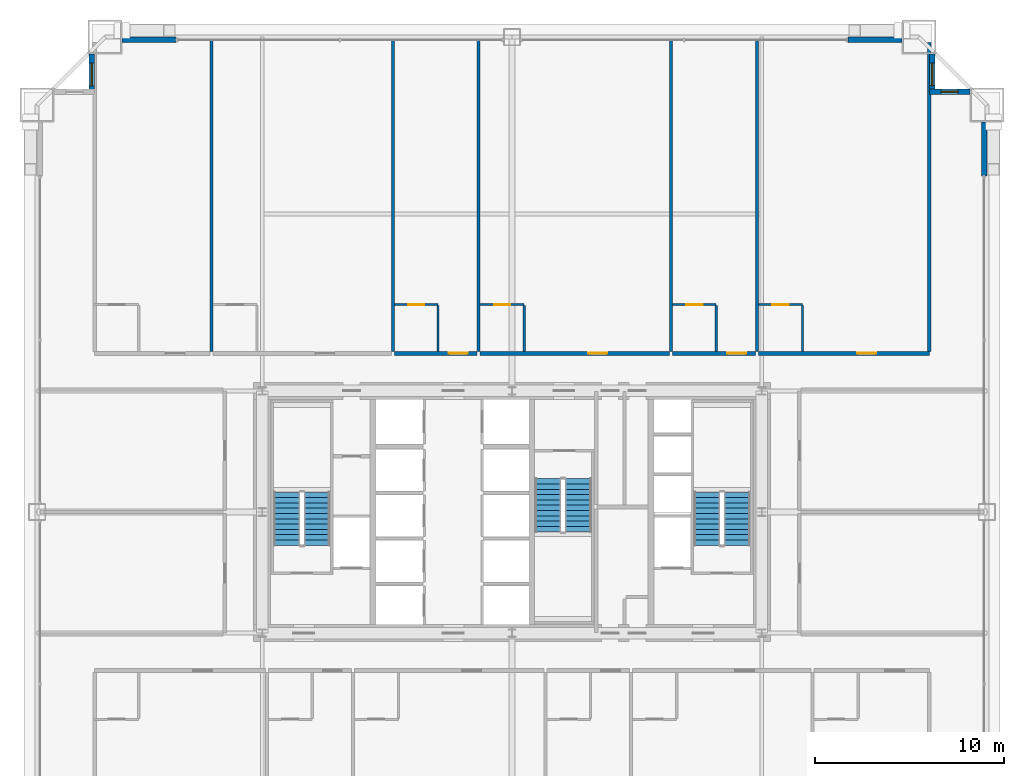
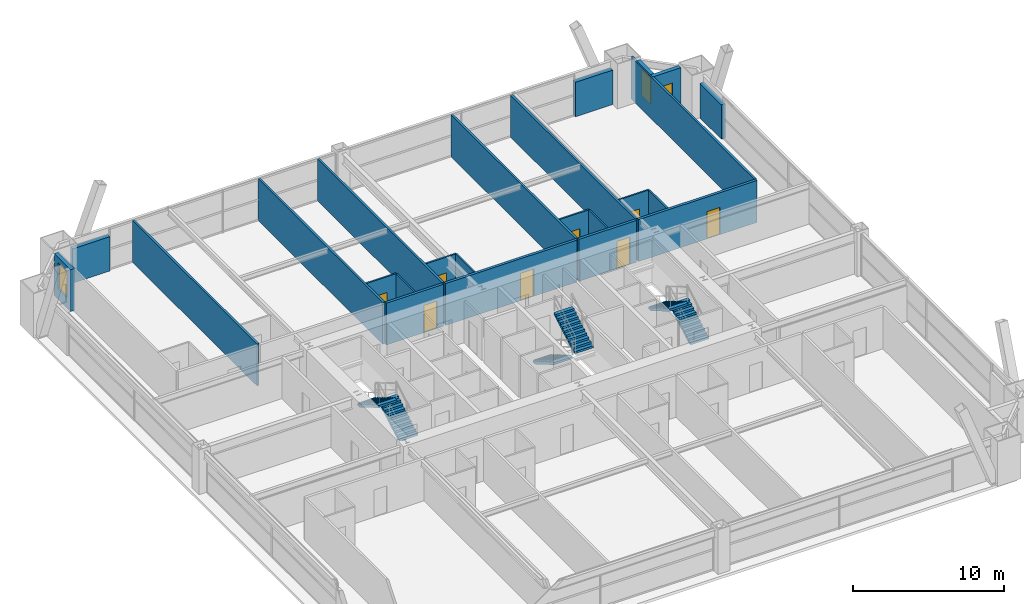
# One storey, part 42 of 43: 24 walls, 8 doors, 6 stair flights, 3 windows, 11 openings, 3 elements without a shape of their own.
"""IFC4 building model written with IfcOpenShell, lengths in metres."""

import ifcopenshell
import ifcopenshell.guid

model = None  # the IFC model being written
_history = None  # IfcOwnerHistory: only IFC2X3 demands one
_inside = {}  # id of a spatial element -> (the spatial element, [elements in it])
_under = {}  # id of a project, library or spatial element -> (it, [spatial elements below it])
_declared = {}  # id of a project -> (the project, [libraries it declares])
_typed = {}  # id of a type object -> (the type object, [elements of that type])
_made_of = {}  # id of a material, layer set ... -> (it, [elements and type objects made of it])


def new_model(schema):
    """Start an empty IFC model of exactly this schema.

    Asked for "IFC4X3", IfcOpenShell would pick the latest addendum, in which some entities
    have other attributes; the version numbers below select the first issue.
    IFC2X3 requires an IfcOwnerHistory on every rooted entity: one is made here for all.
    """
    global model, _history
    if schema == "IFC4X3":
        model = ifcopenshell.file(schema_version=(4, 3, 0, 0))
    else:
        model = ifcopenshell.file(schema=schema)
    _inside.clear()
    _under.clear()
    _declared.clear()
    _typed.clear()
    _made_of.clear()
    _history = None
    if model.schema == "IFC2X3":
        org = make("IfcOrganization", Name="unknown")
        user = make(
            "IfcPersonAndOrganization",
            ThePerson=make("IfcPerson", FamilyName="unknown"),
            TheOrganization=org,
        )
        app = make(
            "IfcApplication",
            ApplicationDeveloper=org,
            Version="unknown",
            ApplicationFullName="unknown",
            ApplicationIdentifier="unknown",
        )
        _history = make(
            "IfcOwnerHistory",
            OwningUser=user,
            OwningApplication=app,
            ChangeAction="ADDED",
            CreationDate=0,
        )
    return model


def make(cls, **values):
    """One entity of the class cls with the attributes given. An attribute that is None is left unset."""
    return model.create_entity(
        cls, **{name: value for name, value in values.items() if value is not None}
    )


def rooted(cls, **values):
    """An entity with a GlobalId (a new one), such as an element, a storey or a relation."""
    return make(cls, GlobalId=ifcopenshell.guid.new(), OwnerHistory=_history, **values)


def si_unit(unit_type, name, prefix=None):
    """IfcSIUnit, for example si_unit("LENGTHUNIT", "METRE", prefix="MILLI")."""
    return make("IfcSIUnit", UnitType=unit_type, Prefix=prefix, Name=name)


def assignment(units):
    """IfcUnitAssignment: the units of a project."""
    return None if units is None else make("IfcUnitAssignment", Units=units)


def point(xyz):
    """IfcCartesianPoint."""
    return None if xyz is None else make("IfcCartesianPoint", Coordinates=xyz)


def direction(xyz):
    """IfcDirection."""
    return None if xyz is None else make("IfcDirection", DirectionRatios=xyz)


def frame(location, z_axis=None, x_axis=None):
    """IfcAxis2Placement3D, a coordinate frame: its origin and axes. An axis left out is left unset."""
    return make(
        "IfcAxis2Placement3D",
        Location=point(location),
        Axis=direction(z_axis),
        RefDirection=direction(x_axis),
    )


def frame_2d(location, x_axis=None):
    """IfcAxis2Placement2D, a coordinate frame in the plane: its origin and x axis."""
    return make(
        "IfcAxis2Placement2D", Location=point(location), RefDirection=direction(x_axis)
    )


def origin():
    """The frame at (0, 0, 0) with its axes left unset."""
    return frame((0.0, 0.0, 0.0))


def place(relative_to, where):
    """IfcLocalPlacement: puts the frame where relative to a parent placement (None: the world)."""
    return make(
        "IfcLocalPlacement", PlacementRelTo=relative_to, RelativePlacement=where
    )


def context(
    kind, dimensions, precision=None, world=None, true_north=None, identifier=None
):
    """IfcGeometricRepresentationContext, for example the 3D "Model" context."""
    return make(
        "IfcGeometricRepresentationContext",
        ContextIdentifier=identifier,
        ContextType=kind,
        CoordinateSpaceDimension=dimensions,
        Precision=precision,
        WorldCoordinateSystem=world,
        TrueNorth=true_north,
    )


def subcontext(parent, identifier, kind, view, scale=None):
    """IfcGeometricRepresentationSubContext, for example "Body" below "Model"."""
    return make(
        "IfcGeometricRepresentationSubContext",
        ContextIdentifier=identifier,
        ContextType=kind,
        ParentContext=parent,
        TargetScale=scale,
        TargetView=view,
    )


def project(units=None, contexts=None):
    """IfcProject with its units and contexts."""
    return rooted(
        "IfcProject",
        Name="project",
        RepresentationContexts=contexts,
        UnitsInContext=assignment(units),
    )


def spatial(cls, under=None, at=None, **own):
    """A site, building, storey or space (cls), placed at a placement, below another one or the project."""
    s = rooted(cls, ObjectPlacement=at, **own)
    if under is not None:
        _under.setdefault(under.id(), (under, []))[1].append(s)
    return s


def polyline(points):
    """IfcPolyline through the points."""
    return make("IfcPolyline", Points=[point(p) for p in points])


def profile(cls, at=None, kind="AREA", **sizes):
    """A parametric profile (cls). Its sizes go by their IFC names, for example OverallWidth=200.0."""
    return make(cls, ProfileType=kind, Position=at, **sizes)


def rectangle(**sizes):
    """IfcRectangleProfileDef."""
    return profile("IfcRectangleProfileDef", **sizes)


def outline(outer, holes=None, kind="AREA"):
    """IfcArbitraryClosedProfileDef: a profile drawn as a closed curve; with holes, ...WithVoids."""
    if holes is None:
        return make("IfcArbitraryClosedProfileDef", ProfileType=kind, OuterCurve=outer)
    return make(
        "IfcArbitraryProfileDefWithVoids",
        ProfileType=kind,
        OuterCurve=outer,
        InnerCurves=holes,
    )


def extrude(swept, where, along, depth):
    """IfcExtrudedAreaSolid: the profile swept, set in the frame where, extruded along a direction by depth."""
    return make(
        "IfcExtrudedAreaSolid",
        SweptArea=swept,
        Position=where,
        ExtrudedDirection=direction(along),
        Depth=depth,
    )


def shape(context_of_items, identifier, shape_type, items):
    """IfcShapeRepresentation: the items that make up one representation, for example the "Body"."""
    return make(
        "IfcShapeRepresentation",
        ContextOfItems=context_of_items,
        RepresentationIdentifier=identifier,
        RepresentationType=shape_type,
        Items=items,
    )


def source(mapping_origin, context_of_items, identifier, shape_type, items):
    """IfcRepresentationMap: a shape defined once, which mapped items show again and again."""
    return make(
        "IfcRepresentationMap",
        MappingOrigin=mapping_origin,
        MappedRepresentation=shape(context_of_items, identifier, shape_type, items),
    )


def transform(
    local_origin,
    x_axis=None,
    y_axis=None,
    z_axis=None,
    scale=None,
    scale2=None,
    scale3=None,
    uniform=True,
):
    """IfcCartesianTransformationOperator3D, or its non-uniform kind. x_axis, y_axis, z_axis: its Axis1, 2, 3."""
    if uniform:
        return make(
            "IfcCartesianTransformationOperator3D",
            Axis1=direction(x_axis),
            Axis2=direction(y_axis),
            LocalOrigin=point(local_origin),
            Scale=scale,
            Axis3=direction(z_axis),
        )
    return make(
        "IfcCartesianTransformationOperator3DnonUniform",
        Axis1=direction(x_axis),
        Axis2=direction(y_axis),
        LocalOrigin=point(local_origin),
        Scale=scale,
        Axis3=direction(z_axis),
        Scale2=scale2,
        Scale3=scale3,
    )


def mapped(mapping_source, mapping_target):
    """IfcMappedItem: shows the shape of a source again, moved by a transform."""
    return make(
        "IfcMappedItem", MappingSource=mapping_source, MappingTarget=mapping_target
    )


def material(Name=None, Category=None):
    """IfcMaterial."""
    return make("IfcMaterial", Name=Name, Category=Category)


def layer(
    of_material, thickness, ventilated=None, Name=None, Category=None, Priority=None
):
    """IfcMaterialLayer: one layer of a wall or slab, of a material (None: an air gap)."""
    return make(
        "IfcMaterialLayer",
        Material=of_material,
        LayerThickness=thickness,
        IsVentilated=ventilated,
        Name=Name,
        Category=Category,
        Priority=Priority,
    )


def layer_set(layers, Name=None):
    """IfcMaterialLayerSet."""
    return make("IfcMaterialLayerSet", MaterialLayers=layers, LayerSetName=Name)


def made_of(thing, what):
    """Note that an element or type object is made of a material, layer set ...; save() writes the relation."""
    if what is not None:
        _made_of.setdefault(what.id(), (what, []))[1].append(thing)
    return thing


def type_object(cls, material=None, **own):
    """A type object (cls), such as IfcWallType, which elements share."""
    return made_of(rooted(cls, **own), material)


def element(
    cls,
    number,
    at=None,
    inside=None,
    cuts=None,
    type_object=None,
    material=None,
    context=None,
    identifier="Body",
    shape_type=None,
    held_by="IfcProductDefinitionShape",
    body=None,
    shapes=None,
    **own,
):
    """One element of the class cls, such as IfcWall. Its Tag is "e" and its number.

    at: its placement. inside: the storey or other place that contains it. cuts: it is an
    opening in that element (IfcRelVoidsElement). A single representation is given by context,
    identifier, shape_type and body (its items); several are given by shapes. held_by: the class
    of the entity that holds the representations. save() writes the other relations.
    """
    e = rooted(cls, Tag="e%d" % number, ObjectPlacement=at, **own)
    if body is not None:
        shapes = [shape(context, identifier, shape_type, body)]
    if shapes is not None:
        e.Representation = make(held_by, Representations=shapes)
    if inside is not None:
        _inside.setdefault(inside.id(), (inside, []))[1].append(e)
    if cuts is not None:
        rooted(
            "IfcRelVoidsElement", RelatingBuildingElement=cuts, RelatedOpeningElement=e
        )
    if type_object is not None:
        _typed.setdefault(type_object.id(), (type_object, []))[1].append(e)
    return made_of(e, material)


def fill(opening, filler):
    """IfcRelFillsElement: the door or window that sits in an opening."""
    return rooted(
        "IfcRelFillsElement",
        RelatingOpeningElement=opening,
        RelatedBuildingElement=filler,
    )


def aggregate(whole, parts):
    """IfcRelAggregates: a whole, such as a stair, and the parts it consists of."""
    return rooted("IfcRelAggregates", RelatingObject=whole, RelatedObjects=parts)


def save(model, path):
    """Write the relations noted so far, then the file.

    IfcRelAggregates (storeys below a building ...), IfcRelContainedInSpatialStructure (elements
    in a storey), IfcRelDefinesByType, IfcRelAssociatesMaterial and IfcRelDeclares: one each for
    every whole, place, type object, material and project.
    """
    for whole, parts in _under.values():
        aggregate(whole, parts)
    for where, things in _inside.values():
        rooted(
            "IfcRelContainedInSpatialStructure",
            RelatedElements=things,
            RelatingStructure=where,
        )
    for kind, things in _typed.values():
        rooted("IfcRelDefinesByType", RelatedObjects=things, RelatingType=kind)
    for what, things in _made_of.values():
        rooted("IfcRelAssociatesMaterial", RelatedObjects=things, RelatingMaterial=what)
    for by, libraries in _declared.values():
        rooted("IfcRelDeclares", RelatingContext=by, RelatedDefinitions=libraries)
    model.write(path)


model = new_model("IFC4")

# Units and contexts
model_context = context("Model", 3, precision=1e-05, world=origin(), true_north=direction((0.0, 1.0)))
body_context = subcontext(model_context, "Body", "Model", "MODEL_VIEW")
ifc_project = project(units=[si_unit("LENGTHUNIT", "METRE"), si_unit("AREAUNIT", "SQUARE_METRE"), si_unit("VOLUMEUNIT", "CUBIC_METRE"), si_unit("PLANEANGLEUNIT", "RADIAN"), si_unit("MASSUNIT", "GRAM", prefix="KILO"), si_unit("THERMODYNAMICTEMPERATUREUNIT", "KELVIN"), si_unit("POWERUNIT", "WATT")], contexts=[model_context])

# Site, building, storey
site_placement = place(None, origin())
site = spatial("IfcSite", under=ifc_project, at=site_placement, CompositionType="ELEMENT")
building_placement = place(site_placement, origin())
building = spatial("IfcBuilding", under=site, at=building_placement, Name="Yuzanri Waterfront Tower", CompositionType="ELEMENT")
storey_placement = place(building_placement, frame((0.0, 0.0, 67.60009765625)))
storey = spatial("IfcBuildingStorey", under=building, at=storey_placement, Name="L17", CompositionType="ELEMENT", Elevation=67.60009765625)

# Wall, opening, door
ifc_material_1 = material(Name="Moisture-Resistant Gypsum Stud Wall", Category="gypsum")
ifc_layer_1 = layer(ifc_material_1, 0.1201171875)
ifc_layer_set_1 = layer_set([ifc_layer_1], Name="Moisture-Resistant Gypsum Stud Wall")
wall_type_1 = type_object("IfcWallType", Name="Bathroom and Kitchen Wet Partition 120", PredefinedType="PARTITIONING", material=ifc_layer_set_1)
wall_1_placement = place(storey_placement, frame((30.785888671875, 36.760009765625, 0.0), z_axis=(0.0, 0.0, 1.0), x_axis=(1.0, 0.0, 0.0)))
wall_1 = element("IfcWall", 1, at=wall_1_placement, inside=storey, type_object=wall_type_1, Name="L17 Partition UW-L17-N3-BN", PredefinedType="PARTITIONING", context=body_context, shape_type="SweptSolid", body=[
    extrude(rectangle(XDim=2.299072265625, YDim=0.1201171875, at=frame_2d((1.1494140625, 0.0))), origin(), (0.0, 0.0, 1.0), 3.3798828125),
])
opening_1_placement = place(wall_1_placement, frame((0.724609375, 0.0, 0.0)))
opening_1 = element("IfcOpeningElement", 2, at=opening_1_placement, cuts=wall_1, Name="Opening ID-0850", PredefinedType="OPENING", context=body_context, shape_type="SweptSolid", body=[
    extrude(rectangle(XDim=0.85009765625, YDim=2.10009765625, at=frame_2d((0.425048828125, 1.050048828125))), frame((0.0, 0.074951171875, 0.0), z_axis=(0.0, -1.0, 0.0), x_axis=(1.0, 0.0, 0.0)), (0.0, 0.0, 1.0), 0.14990234375),
])
ifc_material_2 = material(Name="Moisture-Resistant Lacquered Timber", Category="wood")
door_type_1 = type_object("IfcDoorType", Name="En-Suite Bathroom and Kitchen Swing Door 850x2100", OperationType="NOTDEFINED", PredefinedType="DOOR", material=ifc_material_2)
shared_shape_1 = source(origin(), body_context, "Body", "SweptSolid", [
    extrude(rectangle(XDim=0.85009765625, YDim=2.10009765625, at=frame_2d((0.425048828125, 1.050048828125))), frame((0.0, 0.02490234375, 0.0), z_axis=(0.0, -1.0, 0.0), x_axis=(1.0, 0.0, 0.0)), (0.0, 0.0, 1.0), 0.050048828125),
])
door_1_placement = place(opening_1_placement, origin())
door_1 = element("IfcDoor", 3, at=door_1_placement, inside=storey, type_object=door_type_1, Name="L17 Guest En-Suite Door", OperationType="SINGLE_SWING_LEFT", OverallHeight=2.10009765625, OverallWidth=0.85009765625, PredefinedType="DOOR", context=body_context, shape_type="MappedRepresentation", body=[
    mapped(shared_shape_1, transform((0.0, 0.0, 0.0), scale=1.0)),
])
fill(opening_1, door_1)

wall_2_placement = place(storey_placement, frame((35.31494140625, 36.760009765625, 0.0), z_axis=(0.0, 0.0, 1.0), x_axis=(1.0, 0.0, 0.0)))
wall_2 = element("IfcWall", 4, at=wall_2_placement, inside=storey, type_object=wall_type_1, Name="L17 Partition UW-L17-N4-BN", PredefinedType="PARTITIONING", context=body_context, shape_type="SweptSolid", body=[
    extrude(rectangle(XDim=2.330078125, YDim=0.1201171875, at=frame_2d((1.1650390625, 0.0))), origin(), (0.0, 0.0, 1.0), 3.3798828125),
])
opening_2_placement = place(wall_2_placement, frame((0.739990234375, 0.0, 0.0)))
opening_2 = element("IfcOpeningElement", 5, at=opening_2_placement, cuts=wall_2, Name="Opening ID-0850", PredefinedType="OPENING", context=body_context, shape_type="SweptSolid", body=[
    extrude(rectangle(XDim=0.85009765625, YDim=2.10009765625, at=frame_2d((0.425048828125, 1.050048828125))), frame((0.0, 0.074951171875, 0.0), z_axis=(0.0, -1.0, 0.0), x_axis=(1.0, 0.0, 0.0)), (0.0, 0.0, 1.0), 0.14990234375),
])
door_2_placement = place(opening_2_placement, origin())
door_2 = element("IfcDoor", 6, at=door_2_placement, inside=storey, type_object=door_type_1, Name="L17 Guest En-Suite Door", OperationType="SINGLE_SWING_LEFT", OverallHeight=2.10009765625, OverallWidth=0.85009765625, PredefinedType="DOOR", context=body_context, shape_type="MappedRepresentation", body=[
    mapped(shared_shape_1, transform((0.0, 0.0, 0.0), scale=1.0)),
])
fill(opening_2, door_2)

wall_3_placement = place(storey_placement, frame((45.491943359375, 36.760009765625, 0.0), z_axis=(0.0, 0.0, 1.0), x_axis=(1.0, 0.0, 0.0)))
wall_3 = element("IfcWall", 7, at=wall_3_placement, inside=storey, type_object=wall_type_1, Name="L17 Partition UW-L17-N5-BN", PredefinedType="PARTITIONING", context=body_context, shape_type="SweptSolid", body=[
    extrude(rectangle(XDim=2.300048828125, YDim=0.1201171875, at=frame_2d((1.14990234375, 0.0))), origin(), (0.0, 0.0, 1.0), 3.3798828125),
])
opening_3_placement = place(wall_3_placement, frame((0.72509765625, 0.0, 0.0)))
opening_3 = element("IfcOpeningElement", 8, at=opening_3_placement, cuts=wall_3, Name="Opening ID-0850", PredefinedType="OPENING", context=body_context, shape_type="SweptSolid", body=[
    extrude(rectangle(XDim=0.85009765625, YDim=2.10009765625, at=frame_2d((0.425048828125, 1.050048828125))), frame((0.0, 0.074951171875, 0.0), z_axis=(0.0, -1.0, 0.0), x_axis=(1.0, 0.0, 0.0)), (0.0, 0.0, 1.0), 0.14990234375),
])
door_3_placement = place(opening_3_placement, origin())
door_3 = element("IfcDoor", 9, at=door_3_placement, inside=storey, type_object=door_type_1, Name="L17 Guest En-Suite Door", OperationType="SINGLE_SWING_LEFT", OverallHeight=2.10009765625, OverallWidth=0.85009765625, PredefinedType="DOOR", context=body_context, shape_type="MappedRepresentation", body=[
    mapped(shared_shape_1, transform((0.0, 0.0, 0.0), scale=1.0)),
])
fill(opening_3, door_3)

wall_4_placement = place(storey_placement, frame((50.02197265625, 36.760009765625, 0.0), z_axis=(0.0, 0.0, 1.0), x_axis=(1.0, 0.0, 0.0)))
wall_4 = element("IfcWall", 10, at=wall_4_placement, inside=storey, type_object=wall_type_1, Name="L17 Partition UW-L17-N6-BN", PredefinedType="PARTITIONING", context=body_context, shape_type="SweptSolid", body=[
    extrude(rectangle(XDim=2.330078125, YDim=0.1201171875, at=frame_2d((1.1650390625, 0.0))), origin(), (0.0, 0.0, 1.0), 3.3798828125),
])
opening_4_placement = place(wall_4_placement, frame((0.739990234375, 0.0, 0.0)))
opening_4 = element("IfcOpeningElement", 11, at=opening_4_placement, cuts=wall_4, Name="Opening ID-0850", PredefinedType="OPENING", context=body_context, shape_type="SweptSolid", body=[
    extrude(rectangle(XDim=0.85009765625, YDim=2.10009765625, at=frame_2d((0.425048828125, 1.050048828125))), frame((0.0, 0.074951171875, 0.0), z_axis=(0.0, -1.0, 0.0), x_axis=(1.0, 0.0, 0.0)), (0.0, 0.0, 1.0), 0.14990234375),
])
door_4_placement = place(opening_4_placement, origin())
door_4 = element("IfcDoor", 12, at=door_4_placement, inside=storey, type_object=door_type_1, Name="L17 Guest En-Suite Door", OperationType="SINGLE_SWING_LEFT", OverallHeight=2.10009765625, OverallWidth=0.85009765625, PredefinedType="DOOR", context=body_context, shape_type="MappedRepresentation", body=[
    mapped(shared_shape_1, transform((0.0, 0.0, 0.0), scale=1.0)),
])
fill(opening_4, door_4)

# Wall, opening, window
ifc_material_3 = material(Name="Honed Chongqing Dark Basalt Stone", Category="masonry")
ifc_layer_2 = layer(ifc_material_3, 0.300048828125)
ifc_layer_set_2 = layer_set([ifc_layer_2], Name="Honed Chongqing Dark Basalt Stone")
wall_type_2 = type_object("IfcWallType", Name="Bronze Rainscreen Insulated Spandrel Portal Wall 300", PredefinedType="SOLIDWALL", material=ifc_layer_set_2)
wall_5_placement = place(storey_placement, frame((14.800048828125, 50.0, 0.0), z_axis=(0.0, 0.0, 1.0), x_axis=(0.0, -1.0, 0.0)))
wall_5 = element("IfcWall", 13, at=wall_5_placement, inside=storey, type_object=wall_type_2, Name="L17 Notched Corner Masonry Wall NW-Y", PredefinedType="SOLIDWALL", context=body_context, shape_type="SweptSolid", body=[
    extrude(rectangle(XDim=2.14990234375, YDim=0.300048828125, at=frame_2d((1.074951171875, 0.0))), origin(), (0.0, 0.0, 1.0), 3.3798828125),
])
opening_5_placement = place(wall_5_placement, frame((0.47509765625, 0.0, 0.85009765625)))
opening_5 = element("IfcOpeningElement", 14, at=opening_5_placement, cuts=wall_5, Name="Opening WN-02", PredefinedType="OPENING", context=body_context, shape_type="SweptSolid", body=[
    extrude(rectangle(XDim=1.199951171875, YDim=2.10009765625, at=frame_2d((0.60009765625, 1.050048828125))), frame((0.0, 0.1650390625, 0.0), z_axis=(0.0, -1.0, 0.0), x_axis=(1.0, 0.0, 0.0)), (0.0, 0.0, 1.0), 0.329833984375),
])
ifc_material_4 = material(Name="Double-Silver Low-E Insulated Glass", Category="glass")
window_type_1 = type_object("IfcWindowType", Name="Anodized Bronze Notched Corner Deep-Set Slot Window 1200x2100", PartitioningType="SINGLE_PANEL", PredefinedType="WINDOW", material=ifc_material_4)
shared_shape_2 = source(origin(), body_context, "Body", "SweptSolid", [
    extrude(rectangle(XDim=1.199951171875, YDim=2.10009765625, at=frame_2d((0.60009765625, 1.050048828125))), frame((0.0, 0.030029296875, 0.0), z_axis=(0.0, -1.0, 0.0), x_axis=(1.0, 0.0, 0.0)), (0.0, 0.0, 1.0), 0.06005859375),
])
window_1_placement = place(opening_5_placement, origin())
window_1 = element("IfcWindow", 15, at=window_1_placement, inside=storey, type_object=window_type_1, Name="L17 Notched Corner Window NW-Y", OverallHeight=2.10009765625, OverallWidth=1.199951171875, PartitioningType="SINGLE_PANEL", PredefinedType="WINDOW", context=body_context, shape_type="MappedRepresentation", body=[
    mapped(shared_shape_2, transform((0.0, 0.0, 0.0), scale=1.0)),
])
fill(opening_5, window_1)

wall_6_placement = place(storey_placement, frame((61.199951171875, 48.0, 0.0), z_axis=(0.0, 0.0, 1.0), x_axis=(-1.0, 0.0, 0.0)))
wall_6 = element("IfcWall", 16, at=wall_6_placement, inside=storey, type_object=wall_type_2, Name="L17 Notched Corner Masonry Wall NE-X", PredefinedType="SOLIDWALL", context=body_context, shape_type="SweptSolid", body=[
    extrude(rectangle(XDim=2.14990234375, YDim=0.300048828125, at=frame_2d((1.074951171875, 0.0))), origin(), (0.0, 0.0, 1.0), 3.3798828125),
])
opening_6_placement = place(wall_6_placement, frame((0.625, 0.0, 0.85009765625)))
opening_6 = element("IfcOpeningElement", 17, at=opening_6_placement, cuts=wall_6, Name="Opening WN-05", PredefinedType="OPENING", context=body_context, shape_type="SweptSolid", body=[
    extrude(rectangle(XDim=0.89990234375, YDim=1.5, at=frame_2d((0.449951171875, 0.75))), frame((0.0, 0.1650390625, 0.0), z_axis=(0.0, -1.0, 0.0), x_axis=(1.0, 0.0, 0.0)), (0.0, 0.0, 1.0), 0.329833984375),
])
ifc_material_5 = material(Name="Double-Silver Low-E Insulated Glass", Category="glass")
window_type_2 = type_object("IfcWindowType", Name="Anodized Bronze Service and Stairwell Smoke-Vent Window 900x1500", PartitioningType="SINGLE_PANEL", PredefinedType="WINDOW", material=ifc_material_5)
shared_shape_3 = source(origin(), body_context, "Body", "SweptSolid", [
    extrude(rectangle(XDim=0.89990234375, YDim=1.5, at=frame_2d((0.449951171875, 0.75))), frame((0.0, 0.030029296875, 0.0), z_axis=(0.0, -1.0, 0.0), x_axis=(1.0, 0.0, 0.0)), (0.0, 0.0, 1.0), 0.06005859375),
])
window_2_placement = place(opening_6_placement, origin())
window_2 = element("IfcWindow", 18, at=window_2_placement, inside=storey, type_object=window_type_2, Name="L17 Notched Corner Window NE-X", OverallHeight=1.5, OverallWidth=0.89990234375, PartitioningType="SINGLE_PANEL", PredefinedType="WINDOW", context=body_context, shape_type="MappedRepresentation", body=[
    mapped(shared_shape_3, transform((0.0, 0.0, 0.0), scale=1.0)),
])
fill(opening_6, window_2)

wall_7_placement = place(storey_placement, frame((59.199951171875, 47.85009765625, 0.0), z_axis=(0.0, 0.0, 1.0), x_axis=(0.0, 1.0, 0.0)))
wall_7 = element("IfcWall", 19, at=wall_7_placement, inside=storey, type_object=wall_type_2, Name="L17 Notched Corner Masonry Wall NE-Y", PredefinedType="SOLIDWALL", context=body_context, shape_type="SweptSolid", body=[
    extrude(rectangle(XDim=2.14990234375, YDim=0.300048828125, at=frame_2d((1.074951171875, 0.0))), origin(), (0.0, 0.0, 1.0), 3.3798828125),
])
opening_7_placement = place(wall_7_placement, frame((0.47509765625, 0.0, 0.85009765625)))
opening_7 = element("IfcOpeningElement", 20, at=opening_7_placement, cuts=wall_7, Name="Opening WN-02", PredefinedType="OPENING", context=body_context, shape_type="SweptSolid", body=[
    extrude(rectangle(XDim=1.199951171875, YDim=2.10009765625, at=frame_2d((0.60009765625, 1.050048828125))), frame((0.0, 0.1650390625, 0.0), z_axis=(0.0, -1.0, 0.0), x_axis=(1.0, 0.0, 0.0)), (0.0, 0.0, 1.0), 0.329833984375),
])
window_3_placement = place(opening_7_placement, origin())
window_3 = element("IfcWindow", 21, at=window_3_placement, inside=storey, type_object=window_type_1, Name="L17 Notched Corner Window NE-Y", OverallHeight=2.10009765625, OverallWidth=1.199951171875, PartitioningType="SINGLE_PANEL", PredefinedType="WINDOW", context=body_context, shape_type="MappedRepresentation", body=[
    mapped(shared_shape_2, transform((0.0, 0.0, 0.0), scale=1.0)),
])
fill(opening_7, window_3)

# Wall, opening, door
ifc_material_6 = material(Name="Autoclaved Aerated Concrete Blockwork", Category="masonry")
ifc_layer_3 = layer(ifc_material_6, 0.199951171875)
ifc_layer_set_3 = layer_set([ifc_layer_3], Name="Autoclaved Aerated Concrete Blockwork")
wall_type_3 = type_object("IfcWallType", Name="Corridor and Unit Party Fire Wall 200", PredefinedType="PARTITIONING", material=ifc_layer_set_3)
wall_8_placement = place(storey_placement, frame((30.785888671875, 34.179931640625, 0.0), z_axis=(0.0, 0.0, 1.0), x_axis=(1.0, 0.0, 0.0)))
wall_8 = element("IfcWall", 22, at=wall_8_placement, inside=storey, type_object=wall_type_3, Name="L17 Partition UW-L17-N3-CS", PredefinedType="PARTITIONING", context=body_context, shape_type="SweptSolid", body=[
    extrude(rectangle(XDim=4.369140625, YDim=0.199951171875, at=frame_2d((2.1845703125, 0.0))), origin(), (0.0, 0.0, 1.0), 3.3798828125),
])
opening_8_placement = place(wall_8_placement, frame((2.8740234375, 0.0, 0.0)))
opening_8 = element("IfcOpeningElement", 23, at=opening_8_placement, cuts=wall_8, Name="Opening FD-1000", PredefinedType="OPENING", context=body_context, shape_type="SweptSolid", body=[
    extrude(rectangle(XDim=1.0, YDim=2.199951171875, at=frame_2d((0.5, 1.10009765625))), frame((0.0, 0.11474609375, 0.0), z_axis=(0.0, -1.0, 0.0), x_axis=(1.0, 0.0, 0.0)), (0.0, 0.0, 1.0), 0.229736328125),
])
ifc_material_7 = material(Name="Engineered Oak Fire-Rated Timber", Category="wood")
door_type_2 = type_object("IfcDoorType", Name="Guestroom and Apartment Entrance Fire Door 1000x2200", OperationType="NOTDEFINED", PredefinedType="DOOR", material=ifc_material_7)
shared_shape_4 = source(origin(), body_context, "Body", "SweptSolid", [
    extrude(rectangle(XDim=1.0, YDim=2.199951171875, at=frame_2d((0.5, 1.10009765625))), frame((0.0, 0.02490234375, 0.0), z_axis=(0.0, -1.0, 0.0), x_axis=(1.0, 0.0, 0.0)), (0.0, 0.0, 1.0), 0.050048828125),
])
door_5_placement = place(opening_8_placement, origin())
door_5 = element("IfcDoor", 24, at=door_5_placement, inside=storey, type_object=door_type_2, Name="L17 Superior Cityview Guest Room Entrance Door", OperationType="SINGLE_SWING_RIGHT", OverallHeight=2.199951171875, OverallWidth=1.0, PredefinedType="DOOR", context=body_context, shape_type="MappedRepresentation", body=[
    mapped(shared_shape_4, transform((0.0, 0.0, 0.0), scale=1.0)),
])
fill(opening_8, door_5)

wall_9_placement = place(storey_placement, frame((35.31494140625, 34.179931640625, 0.0), z_axis=(0.0, 0.0, 1.0), x_axis=(1.0, 0.0, 0.0)))
wall_9 = element("IfcWall", 25, at=wall_9_placement, inside=storey, type_object=wall_type_3, Name="L17 Partition UW-L17-N4-CS", PredefinedType="PARTITIONING", context=body_context, shape_type="SweptSolid", body=[
    extrude(rectangle(XDim=10.01708984375, YDim=0.199951171875, at=frame_2d((5.008544921875, 0.0))), origin(), (0.0, 0.0, 1.0), 3.3798828125),
])
opening_9_placement = place(wall_9_placement, frame((5.712890625, 0.0, 0.0)))
opening_9 = element("IfcOpeningElement", 26, at=opening_9_placement, cuts=wall_9, Name="Opening FD-1000", PredefinedType="OPENING", context=body_context, shape_type="SweptSolid", body=[
    extrude(rectangle(XDim=1.0, YDim=2.199951171875, at=frame_2d((0.5, 1.10009765625))), frame((0.0, 0.11474609375, 0.0), z_axis=(0.0, -1.0, 0.0), x_axis=(1.0, 0.0, 0.0)), (0.0, 0.0, 1.0), 0.229736328125),
])
door_6_placement = place(opening_9_placement, origin())
door_6 = element("IfcDoor", 27, at=door_6_placement, inside=storey, type_object=door_type_2, Name="L17 Superior Cityview Junior Suite Entrance Door", OperationType="SINGLE_SWING_RIGHT", OverallHeight=2.199951171875, OverallWidth=1.0, PredefinedType="DOOR", context=body_context, shape_type="MappedRepresentation", body=[
    mapped(shared_shape_4, transform((0.0, 0.0, 0.0), scale=1.0)),
])
fill(opening_9, door_6)

wall_10_placement = place(storey_placement, frame((45.491943359375, 34.179931640625, 0.0), z_axis=(0.0, 0.0, 1.0), x_axis=(1.0, 0.0, 0.0)))
wall_10 = element("IfcWall", 28, at=wall_10_placement, inside=storey, type_object=wall_type_3, Name="L17 Partition UW-L17-N5-CS", PredefinedType="PARTITIONING", context=body_context, shape_type="SweptSolid", body=[
    extrude(rectangle(XDim=4.3701171875, YDim=0.199951171875, at=frame_2d((2.18505859375, 0.0))), origin(), (0.0, 0.0, 1.0), 3.3798828125),
])
opening_10_placement = place(wall_10_placement, frame((2.875, 0.0, 0.0)))
opening_10 = element("IfcOpeningElement", 29, at=opening_10_placement, cuts=wall_10, Name="Opening FD-1000", PredefinedType="OPENING", context=body_context, shape_type="SweptSolid", body=[
    extrude(rectangle(XDim=1.0, YDim=2.199951171875, at=frame_2d((0.5, 1.10009765625))), frame((0.0, 0.11474609375, 0.0), z_axis=(0.0, -1.0, 0.0), x_axis=(1.0, 0.0, 0.0)), (0.0, 0.0, 1.0), 0.229736328125),
])
door_7_placement = place(opening_10_placement, origin())
door_7 = element("IfcDoor", 30, at=door_7_placement, inside=storey, type_object=door_type_2, Name="L17 Superior Cityview Guest Room Entrance Door", OperationType="SINGLE_SWING_RIGHT", OverallHeight=2.199951171875, OverallWidth=1.0, PredefinedType="DOOR", context=body_context, shape_type="MappedRepresentation", body=[
    mapped(shared_shape_4, transform((0.0, 0.0, 0.0), scale=1.0)),
])
fill(opening_10, door_7)

wall_11_placement = place(storey_placement, frame((50.02197265625, 34.179931640625, 0.0), z_axis=(0.0, 0.0, 1.0), x_axis=(1.0, 0.0, 0.0)))
wall_11 = element("IfcWall", 31, at=wall_11_placement, inside=storey, type_object=wall_type_3, Name="L17 Partition UW-L17-N6-CS", PredefinedType="PARTITIONING", context=body_context, shape_type="SweptSolid", body=[
    extrude(rectangle(XDim=9.0380859375, YDim=0.199951171875, at=frame_2d((4.51904296875, 0.0))), origin(), (0.0, 0.0, 1.0), 3.3798828125),
])
opening_11_placement = place(wall_11_placement, frame((5.22412109375, 0.0, 0.0)))
opening_11 = element("IfcOpeningElement", 32, at=opening_11_placement, cuts=wall_11, Name="Opening FD-1000", PredefinedType="OPENING", context=body_context, shape_type="SweptSolid", body=[
    extrude(rectangle(XDim=1.0, YDim=2.199951171875, at=frame_2d((0.5, 1.10009765625))), frame((0.0, 0.11474609375, 0.0), z_axis=(0.0, -1.0, 0.0), x_axis=(1.0, 0.0, 0.0)), (0.0, 0.0, 1.0), 0.229736328125),
])
door_8_placement = place(opening_11_placement, origin())
door_8 = element("IfcDoor", 33, at=door_8_placement, inside=storey, type_object=door_type_2, Name="L17 Superior Cityview Junior Suite Entrance Door", OperationType="SINGLE_SWING_RIGHT", OverallHeight=2.199951171875, OverallWidth=1.0, PredefinedType="DOOR", context=body_context, shape_type="MappedRepresentation", body=[
    mapped(shared_shape_4, transform((0.0, 0.0, 0.0), scale=1.0)),
])
fill(opening_11, door_8)

# Walls
shared_shape_5 = source(origin(), body_context, "Body", "SweptSolid", [
    extrude(rectangle(XDim=2.85009765625, YDim=0.300048828125, at=frame_2d((1.425048828125, 0.0))), origin(), (0.0, 0.0, 1.0), 2.77490234375),
])
for number, where, z_axis, x_axis, name in (
    (34, (16.39990234375, 50.75, 0.0), (0.0, 0.0, 1.0), (1.0, 0.0, 0.0), "L17 N Left Braced Masonry Shoulder"),
    (35, (54.75, 50.75, 0.0), (0.0, 0.0, 1.0), (1.0, 0.0, 0.0), "L17 N Right Braced Masonry Shoulder"),
):
    element("IfcWall", number, at=place(storey_placement, frame(where, z_axis=z_axis, x_axis=x_axis)), inside=storey, type_object=wall_type_2, Name=name, PredefinedType="SOLIDWALL", context=body_context, shape_type="MappedRepresentation", body=[
        mapped(shared_shape_5, transform((0.0, 0.0, 0.0), scale=1.0)),
    ])
shared_shape_6 = source(origin(), body_context, "Body", "SweptSolid", [
    extrude(rectangle(XDim=2.849853515625, YDim=0.300048828125, at=frame_2d((1.4248046875, 0.0))), origin(), (0.0, 0.0, 1.0), 2.77490234375),
])
wall_12_placement = place(storey_placement, frame((61.949951171875, 43.550048828125, 0.0), z_axis=(0.0, 0.0, 1.0), x_axis=(0.0, 1.0, 0.0)))
element("IfcWall", 36, at=wall_12_placement, inside=storey, type_object=wall_type_2, Name="L17 E Right Braced Masonry Shoulder", PredefinedType="SOLIDWALL", context=body_context, shape_type="MappedRepresentation", body=[
    mapped(shared_shape_6, transform((0.0, 0.0, 0.0), scale=1.0)),
])
ifc_material_8 = material(Name="Gypsum Fireboard Acoustic Stud Wall", Category="gypsum")
ifc_layer_4 = layer(ifc_material_8, 0.159912109375)
ifc_layer_set_4 = layer_set([ifc_layer_4], Name="Gypsum Fireboard Acoustic Stud Wall")
wall_type_4 = type_object("IfcWallType", Name="Acoustic Suite Demising Partition 160", PredefinedType="PARTITIONING", material=ifc_layer_set_4)
shared_shape_7 = source(origin(), body_context, "Body", "SweptSolid", [
    extrude(rectangle(XDim=16.469970703125, YDim=0.159912109375, at=frame_2d((8.23486328125, 0.0))), origin(), (0.0, 0.0, 1.0), 3.3798828125),
])
for number, where, z_axis, x_axis, name in (
    (37, (21.116943359375, 34.280029296875, 0.0), (0.0, 0.0, 1.0), (0.0, 1.0, 0.0), "L17-N1 Party Wall"),
    (38, (30.7060546875, 34.280029296875, 0.0), (0.0, 0.0, 1.0), (0.0, 1.0, 0.0), "L17-N2 Party Wall"),
    (39, (35.235107421875, 34.280029296875, 0.0), (0.0, 0.0, 1.0), (0.0, 1.0, 0.0), "L17-N3 Party Wall"),
    (40, (45.412109375, 34.280029296875, 0.0), (0.0, 0.0, 1.0), (0.0, 1.0, 0.0), "L17-N4 Party Wall"),
    (41, (49.94189453125, 34.280029296875, 0.0), (0.0, 0.0, 1.0), (0.0, 1.0, 0.0), "L17-N5 Party Wall"),
):
    element("IfcWall", number, at=place(storey_placement, frame(where, z_axis=z_axis, x_axis=x_axis)), inside=storey, type_object=wall_type_4, Name=name, PredefinedType="PARTITIONING", context=body_context, shape_type="MappedRepresentation", body=[
        mapped(shared_shape_7, transform((0.0, 0.0, 0.0), scale=1.0)),
    ])
shared_shape_8 = source(origin(), body_context, "Body", "SweptSolid", [
    extrude(rectangle(XDim=16.320068359375, YDim=0.159912109375, at=frame_2d((8.16015625, 0.0))), origin(), (0.0, 0.0, 1.0), 3.3798828125),
])
wall_13_placement = place(storey_placement, frame((59.050048828125, 34.280029296875, 0.0), z_axis=(0.0, 0.0, 1.0), x_axis=(0.0, 1.0, 0.0)))
element("IfcWall", 42, at=wall_13_placement, inside=storey, type_object=wall_type_4, Name="L17 North Band East End Wall", PredefinedType="PARTITIONING", context=body_context, shape_type="MappedRepresentation", body=[
    mapped(shared_shape_8, transform((0.0, 0.0, 0.0), scale=1.0)),
])
shared_shape_9 = source(origin(), body_context, "Body", "SweptSolid", [
    extrude(rectangle(XDim=2.419921875, YDim=0.1201171875, at=frame_2d((1.2099609375, 0.0))), origin(), (0.0, 0.0, 1.0), 3.3798828125),
])
for number, where, z_axis, x_axis, name in (
    (43, (33.0849609375, 34.280029296875, 0.0), (0.0, 0.0, 1.0), (0.0, 1.0, 0.0), "L17-N3 En-Suite Side Wall"),
    (44, (37.64501953125, 34.280029296875, 0.0), (0.0, 0.0, 1.0), (0.0, 1.0, 0.0), "L17-N4 En-Suite Side Wall"),
    (45, (47.7919921875, 34.280029296875, 0.0), (0.0, 0.0, 1.0), (0.0, 1.0, 0.0), "L17-N5 En-Suite Side Wall"),
    (46, (52.35205078125, 34.280029296875, 0.0), (0.0, 0.0, 1.0), (0.0, 1.0, 0.0), "L17-N6 En-Suite Side Wall"),
):
    element("IfcWall", number, at=place(storey_placement, frame(where, z_axis=z_axis, x_axis=x_axis)), inside=storey, type_object=wall_type_1, Name=name, PredefinedType="PARTITIONING", context=body_context, shape_type="MappedRepresentation", body=[
        mapped(shared_shape_9, transform((0.0, 0.0, 0.0), scale=1.0)),
    ])

# Stair, stair flights
ifc_material_9 = material(Name="Concrete C40", Category="concrete")
stair_type = type_object("IfcStairType", Name="Concrete C40 Core Dogleg Exit Stair", PredefinedType="HALF_TURN_STAIR", material=ifc_material_9)
stair_1_placement = place(storey_placement, origin())
stair_1 = element("IfcStair", 47, at=stair_1_placement, inside=storey, type_object=stair_type, Name="L17 Smoke-Proof Core Stair ST-01", PredefinedType="HALF_TURN_STAIR")
ifc_material_10 = material(Name="Concrete C40", Category="concrete")
stair_flight_type = type_object("IfcStairFlightType", Name="Concrete C40 Precast Stair Flight 1380", PredefinedType="STRAIGHT", material=ifc_material_10)
shared_shape_10 = source(origin(), body_context, "Body", "SweptSolid", [
    extrude(outline(polyline([(0.0, 0.0), (0.0, 0.16357421875), (0.280029296875, 0.16357421875), (0.280029296875, 0.327392578125), (0.56005859375, 0.327392578125), (0.56005859375, 0.490966796875), (0.840087890625, 0.490966796875), (0.840087890625, 0.654541015625), (1.1201171875, 0.654541015625), (1.1201171875, 0.818115234375), (1.39990234375, 0.818115234375), (1.39990234375, 0.98193359375), (1.679931640625, 0.98193359375), (1.679931640625, 1.1455078125), (1.9599609375, 1.1455078125), (1.9599609375, 1.30908203125), (2.239990234375, 1.30908203125), (2.239990234375, 1.47265625), (2.52001953125, 1.47265625), (2.52001953125, 1.636474609375), (2.800048828125, 1.636474609375), (2.800048828125, 1.800048828125), (2.800048828125, 1.462646484375), (0.297119140625, 0.0), (0.0, 0.0)])), frame((0.0, 0.699951171875, 0.0), z_axis=(0.0, -1.0, 0.0), x_axis=(1.0, 0.0, 0.0)), (0.0, 0.0, 1.0), 1.39990234375),
])
stair_flight_1_placement = place(storey_placement, frame((26.699951171875, 24.0400390625, 0.0), z_axis=(0.0, 0.0, 1.0), x_axis=(0.0, 1.0, 0.0)))
stair_flight_1 = element("IfcStairFlight", 48, at=stair_flight_1_placement, type_object=stair_flight_type, Name="ST-01 flight 1", NumberOfRisers=11, NumberOfTreads=10, PredefinedType="STRAIGHT", RiserHeight=0.163636364, TreadLength=0.28, context=body_context, shape_type="MappedRepresentation", body=[
    mapped(shared_shape_10, transform((0.0, 0.0, 0.0), scale=1.0)),
])
stair_flight_2_placement = place(storey_placement, frame((25.10009765625, 26.840087890625, 1.7998046875), z_axis=(0.0, 0.0, 1.0), x_axis=(0.0, -1.0, 0.0)))
stair_flight_2 = element("IfcStairFlight", 49, at=stair_flight_2_placement, type_object=stair_flight_type, Name="ST-01 flight 2", NumberOfRisers=11, NumberOfTreads=10, PredefinedType="STRAIGHT", RiserHeight=0.163636364, TreadLength=0.28, context=body_context, shape_type="MappedRepresentation", body=[
    mapped(shared_shape_10, transform((0.0, 0.0, 0.0), scale=1.0)),
])
aggregate(stair_1, [stair_flight_1, stair_flight_2])

stair_2_placement = place(storey_placement, origin())
stair_2 = element("IfcStair", 50, at=stair_2_placement, inside=storey, type_object=stair_type, Name="L17 Smoke-Proof Core Stair ST-02", PredefinedType="HALF_TURN_STAIR")
stair_flight_3_placement = place(storey_placement, frame((48.89990234375, 24.0400390625, 0.0), z_axis=(0.0, 0.0, 1.0), x_axis=(0.0, 1.0, 0.0)))
stair_flight_3 = element("IfcStairFlight", 51, at=stair_flight_3_placement, type_object=stair_flight_type, Name="ST-02 flight 1", NumberOfRisers=11, NumberOfTreads=10, PredefinedType="STRAIGHT", RiserHeight=0.163636364, TreadLength=0.28, context=body_context, shape_type="MappedRepresentation", body=[
    mapped(shared_shape_10, transform((0.0, 0.0, 0.0), scale=1.0)),
])
stair_flight_4_placement = place(storey_placement, frame((47.300048828125, 26.840087890625, 1.7998046875), z_axis=(0.0, 0.0, 1.0), x_axis=(0.0, -1.0, 0.0)))
stair_flight_4 = element("IfcStairFlight", 52, at=stair_flight_4_placement, type_object=stair_flight_type, Name="ST-02 flight 2", NumberOfRisers=11, NumberOfTreads=10, PredefinedType="STRAIGHT", RiserHeight=0.163636364, TreadLength=0.28, context=body_context, shape_type="MappedRepresentation", body=[
    mapped(shared_shape_10, transform((0.0, 0.0, 0.0), scale=1.0)),
])
aggregate(stair_2, [stair_flight_3, stair_flight_4])

stair_3_placement = place(storey_placement, origin())
stair_3 = element("IfcStair", 53, at=stair_3_placement, inside=storey, type_object=stair_type, Name="L17 Smoke-Proof Core Stair ST-03", PredefinedType="HALF_TURN_STAIR")
stair_flight_5_placement = place(storey_placement, frame((38.89990234375, 27.56005859375, 0.0), z_axis=(0.0, 0.0, 1.0), x_axis=(0.0, -1.0, 0.0)))
stair_flight_5 = element("IfcStairFlight", 54, at=stair_flight_5_placement, type_object=stair_flight_type, Name="ST-03 flight 1", NumberOfRisers=11, NumberOfTreads=10, PredefinedType="STRAIGHT", RiserHeight=0.163636364, TreadLength=0.28, context=body_context, shape_type="MappedRepresentation", body=[
    mapped(shared_shape_10, transform((0.0, 0.0, 0.0), scale=1.0)),
])
stair_flight_6_placement = place(storey_placement, frame((40.5, 24.760009765625, 1.7998046875), z_axis=(0.0, 0.0, 1.0), x_axis=(0.0, 1.0, 0.0)))
stair_flight_6 = element("IfcStairFlight", 55, at=stair_flight_6_placement, type_object=stair_flight_type, Name="ST-03 flight 2", NumberOfRisers=11, NumberOfTreads=10, PredefinedType="STRAIGHT", RiserHeight=0.163636364, TreadLength=0.28, context=body_context, shape_type="MappedRepresentation", body=[
    mapped(shared_shape_10, transform((0.0, 0.0, 0.0), scale=1.0)),
])
aggregate(stair_3, [stair_flight_5, stair_flight_6])

save(model, "model.ifc")
